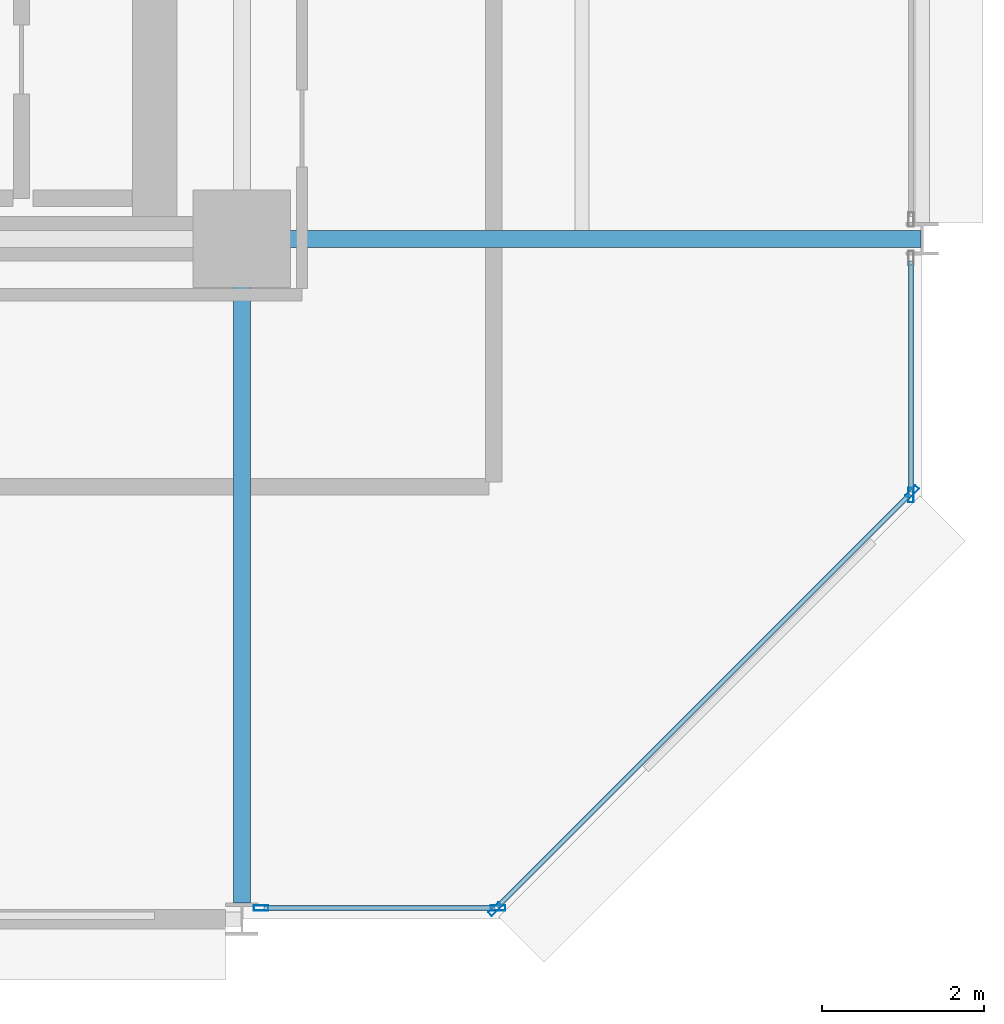
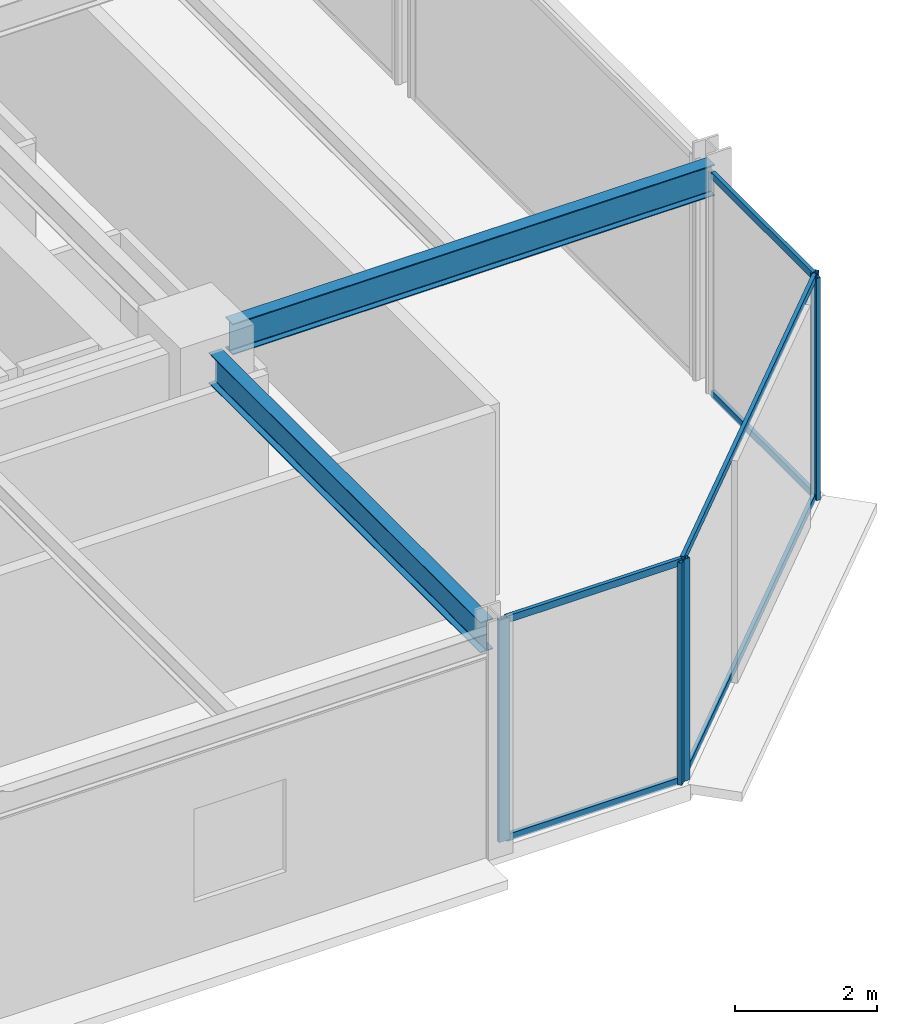
# One storey, part 13 of 30: 11 members, 2 beams, 3 elements without a shape of their own.
"""IFC4 building model written with IfcOpenShell, lengths in metres."""

from ifc_helpers import new_model, si_unit, direction, frame, origin, origin_2d, place, context, subcontext, project, spatial, hollow_rectangle, i_section, extrude, material, layer, layer_set, material_profile, profile_set, type_object, element, aggregate, save


model = new_model("IFC4")

# Units and contexts
model_context = context("Model", 3, precision=1e-05, world=origin(), true_north=direction((0.0, 1.0)))
body_context = subcontext(model_context, "Body", "Model", "MODEL_VIEW")
ifc_project = project(units=[si_unit("LENGTHUNIT", "METRE"), si_unit("AREAUNIT", "SQUARE_METRE"), si_unit("VOLUMEUNIT", "CUBIC_METRE"), si_unit("PLANEANGLEUNIT", "RADIAN"), si_unit("MASSUNIT", "GRAM", prefix="KILO")], contexts=[model_context])

# Site, building, storey
site_placement = place(None, origin())
site = spatial("IfcSite", under=ifc_project, at=site_placement, CompositionType="ELEMENT")
building_placement = place(site_placement, origin())
building = spatial("IfcBuilding", under=site, at=building_placement, Name="Nerrivon Quay Data Exchange", CompositionType="ELEMENT")
storey_placement = place(building_placement, frame((0.0, 0.0, 129.5)))
storey = spatial("IfcBuildingStorey", under=building, at=storey_placement, Name="L30", CompositionType="ELEMENT", Elevation=129.5)

# Beams
ifc_material_1 = material(Name="Steel Grade 350", Category="steel")
ifc_material_profile_1 = material_profile(ifc_material_1, i_section(OverallWidth=0.208984375, OverallDepth=0.532958984375, WebThickness=0.01025390625, FlangeThickness=0.015625, FilletRadius=0.013916015625, at=origin_2d()), Name="530UB92.4")
ifc_profile_set_1 = profile_set([ifc_material_profile_1], Name="Steel Grade 350")
beam_type_1 = type_object("IfcBeamType", Name="BM-G3-530UB92", PredefinedType="BEAM", material=ifc_profile_set_1)
beam_1_placement = place(storey_placement, frame((34.139892578125, 8.39990234375, 3.55859375), z_axis=(1.0, 0.0, 0.0), x_axis=(0.0, 1.0, 0.0)))
element("IfcBeam", 1, at=beam_1_placement, inside=storey, type_object=beam_type_1, Name="L30 EW Girder Y=8.4 (33.6..42.0)", PredefinedType="BEAM", context=body_context, shape_type="SweptSolid", body=[
    extrude(i_section(OverallWidth=0.208984375, OverallDepth=0.532958984375, WebThickness=0.01025390625, FlangeThickness=0.015625, FilletRadius=0.013916015625, at=origin_2d()), origin(), (0.0, 0.0, 1.0), 7.84765625),
])
ifc_material_profile_2 = material_profile(ifc_material_1, i_section(OverallWidth=0.208984375, OverallDepth=0.528076171875, WebThickness=0.009521484375, FlangeThickness=0.01318359375, FilletRadius=0.013916015625, at=origin_2d()), Name="530UB82.0")
ifc_profile_set_2 = profile_set([ifc_material_profile_2], Name="Steel Grade 350")
beam_type_2 = type_object("IfcBeamType", Name="BM-G4-530UB82", PredefinedType="BEAM", material=ifc_profile_set_2)
beam_2_placement = place(storey_placement, frame((33.60009765625, 0.199951171875, 3.56103515625), z_axis=(0.0, 1.0, 0.0), x_axis=(-1.0, 0.0, 0.0)))
element("IfcBeam", 2, at=beam_2_placement, inside=storey, type_object=beam_type_2, Name="L30 NS Girder X=33.6 (0.0..8.4)", PredefinedType="BEAM", context=body_context, shape_type="SweptSolid", body=[
    extrude(i_section(OverallWidth=0.208984375, OverallDepth=0.528076171875, WebThickness=0.009521484375, FlangeThickness=0.01318359375, FilletRadius=0.013916015625, at=origin_2d()), origin(), (0.0, 0.0, 1.0), 7.66015625),
])

# Curtain wall, members
ifc_material_2 = material(Name="Anodised aluminium 6063-T6", Category="aluminium")
ifc_layer = layer(ifc_material_2, 0.2099609375)
ifc_layer_set = layer_set([ifc_layer], Name="Anodised aluminium 6063-T6")
curtain_wall_type = type_object("IfcCurtainWallType", Name="CW-SYS-02", PredefinedType="NOTDEFINED", material=ifc_layer_set)
curtain_wall_1_placement = place(storey_placement, origin())
curtain_wall_1 = element("IfcCurtainWall", 3, at=curtain_wall_1_placement, inside=storey, type_object=curtain_wall_type, Name="L30 Unitised Curtain Wall 1", PredefinedType="NOTDEFINED")
ifc_material_profile_3 = material_profile(ifc_material_2, hollow_rectangle(XDim=0.06494140625, YDim=0.179931640625, WallThickness=0.00341796875, at=origin_2d()), Name="ALU-MULL-180x65")
ifc_profile_set_3 = profile_set([ifc_material_profile_3], Name="Anodised aluminium 6063-T6")
member_type_1 = type_object("IfcMemberType", Name="CWM-180x65", PredefinedType="MULLION", material=ifc_profile_set_3)
member_1_placement = place(storey_placement, frame((41.87451171875, 5.2724609375, 0.0), z_axis=(0.0, 0.0, 1.0), x_axis=(0.707106781187, -0.707106781187, 0.0)))
member_1 = element("IfcMember", 4, at=member_1_placement, type_object=member_type_1, Name="CW02 mullion 1", PredefinedType="MULLION", context=body_context, shape_type="SweptSolid", body=[
    extrude(hollow_rectangle(XDim=0.06494140625, YDim=0.179931640625, WallThickness=0.00341796875, at=origin_2d()), origin(), (0.0, 0.0, 1.0), 3.824951171875),
])
member_2_placement = place(storey_placement, frame((36.7275390625, 0.12548828125, 0.0), z_axis=(0.0, 0.0, 1.0), x_axis=(0.707106781187, -0.707106781187, 0.0)))
member_2 = element("IfcMember", 5, at=member_2_placement, type_object=member_type_1, Name="CW02 mullion 2", PredefinedType="MULLION", context=body_context, shape_type="SweptSolid", body=[
    extrude(hollow_rectangle(XDim=0.06494140625, YDim=0.179931640625, WallThickness=0.00341796875, at=origin_2d()), origin(), (0.0, 0.0, 1.0), 3.824951171875),
])

curtain_wall_2_placement = place(storey_placement, origin())
curtain_wall_2 = element("IfcCurtainWall", 6, at=curtain_wall_2_placement, inside=storey, type_object=curtain_wall_type, Name="L30 Unitised Curtain Wall 2", PredefinedType="NOTDEFINED")
member_3_placement = place(storey_placement, frame((36.762451171875, 0.139892578125, 0.0), z_axis=(0.0, 0.0, 1.0), x_axis=(0.0, -1.0, 0.0)))
member_3 = element("IfcMember", 7, at=member_3_placement, type_object=member_type_1, Name="CW02 mullion 1", PredefinedType="MULLION", context=body_context, shape_type="SweptSolid", body=[
    extrude(hollow_rectangle(XDim=0.06494140625, YDim=0.179931640625, WallThickness=0.00341796875, at=origin_2d()), origin(), (0.0, 0.0, 1.0), 3.824951171875),
])
member_4_placement = place(storey_placement, frame((33.83740234375, 0.139892578125, 0.0), z_axis=(0.0, 0.0, 1.0), x_axis=(0.0, -1.0, 0.0)))
member_4 = element("IfcMember", 8, at=member_4_placement, type_object=member_type_1, Name="CW02 mullion 2", PredefinedType="MULLION", context=body_context, shape_type="SweptSolid", body=[
    extrude(hollow_rectangle(XDim=0.06494140625, YDim=0.179931640625, WallThickness=0.00341796875, at=origin_2d()), origin(), (0.0, 0.0, 1.0), 3.824951171875),
])

# Curtain wall, member
curtain_wall_3_placement = place(storey_placement, origin())
curtain_wall_3 = element("IfcCurtainWall", 9, at=curtain_wall_3_placement, inside=storey, type_object=curtain_wall_type, Name="L30 Unitised Curtain Wall 30", PredefinedType="NOTDEFINED")
member_5_placement = place(storey_placement, frame((41.860107421875, 5.237548828125, 0.0), z_axis=(0.0, 0.0, 1.0), x_axis=(1.0, 0.0, 0.0)))
member_5 = element("IfcMember", 10, at=member_5_placement, type_object=member_type_1, Name="CW02 mullion 2", PredefinedType="MULLION", context=body_context, shape_type="SweptSolid", body=[
    extrude(hollow_rectangle(XDim=0.06494140625, YDim=0.179931640625, WallThickness=0.00341796875, at=origin_2d()), origin(), (0.0, 0.0, 1.0), 3.824951171875),
])

# Member
ifc_material_profile_4 = material_profile(ifc_material_2, hollow_rectangle(XDim=0.06005859375, YDim=0.1201171875, WallThickness=0.003173828125, at=origin_2d()), Name="ALU-TRAN-120x60")
ifc_profile_set_4 = profile_set([ifc_material_profile_4], Name="Anodised aluminium 6063-T6")
member_type_2 = type_object("IfcMemberType", Name="CWT-120x60", PredefinedType="USERDEFINED", material=ifc_profile_set_4)
member_6_placement = place(storey_placement, frame((41.847900390625, 5.245849609375, 0.032470703125), z_axis=(-0.707106781187, -0.707106781187, 0.0), x_axis=(0.707106781187, -0.707106781187, 0.0)))
member_6 = element("IfcMember", 11, at=member_6_placement, type_object=member_type_2, Name="CW02 transom 1.1", ObjectType="TRANSOM", PredefinedType="USERDEFINED", context=body_context, shape_type="SweptSolid", body=[
    extrude(hollow_rectangle(XDim=0.06005859375, YDim=0.1201171875, WallThickness=0.003173828125, at=origin_2d()), origin(), (0.0, 0.0, 1.0), 7.20361328125),
])

member_7_placement = place(storey_placement, frame((41.847900390625, 5.245849609375, 3.79248046875), z_axis=(-0.707106781187, -0.707106781187, 0.0), x_axis=(0.707106781187, -0.707106781187, 0.0)))
member_7 = element("IfcMember", 12, at=member_7_placement, type_object=member_type_2, Name="CW02 transom 1.2", ObjectType="TRANSOM", PredefinedType="USERDEFINED", context=body_context, shape_type="SweptSolid", body=[
    extrude(hollow_rectangle(XDim=0.06005859375, YDim=0.1201171875, WallThickness=0.003173828125, at=origin_2d()), origin(), (0.0, 0.0, 1.0), 7.20361328125),
])

aggregate(curtain_wall_1, [member_1, member_2, member_6, member_7])

member_8_placement = place(storey_placement, frame((36.72509765625, 0.139892578125, 0.032470703125), z_axis=(-1.0, 0.0, 0.0), x_axis=(0.0, -1.0, 0.0)))
member_8 = element("IfcMember", 13, at=member_8_placement, type_object=member_type_2, Name="CW02 transom 1.1", ObjectType="TRANSOM", PredefinedType="USERDEFINED", context=body_context, shape_type="SweptSolid", body=[
    extrude(hollow_rectangle(XDim=0.06005859375, YDim=0.1201171875, WallThickness=0.003173828125, at=origin_2d()), origin(), (0.0, 0.0, 1.0), 2.85009765625),
])

member_9_placement = place(storey_placement, frame((36.72509765625, 0.139892578125, 3.79248046875), z_axis=(-1.0, 0.0, 0.0), x_axis=(0.0, -1.0, 0.0)))
member_9 = element("IfcMember", 14, at=member_9_placement, type_object=member_type_2, Name="CW02 transom 1.2", ObjectType="TRANSOM", PredefinedType="USERDEFINED", context=body_context, shape_type="SweptSolid", body=[
    extrude(hollow_rectangle(XDim=0.06005859375, YDim=0.1201171875, WallThickness=0.003173828125, at=origin_2d()), origin(), (0.0, 0.0, 1.0), 2.85009765625),
])

aggregate(curtain_wall_2, [member_3, member_4, member_8, member_9])

member_10_placement = place(storey_placement, frame((41.860107421875, 8.125, 0.032470703125), z_axis=(0.0, -1.0, 0.0), x_axis=(1.0, 0.0, 0.0)))
member_10 = element("IfcMember", 15, at=member_10_placement, type_object=member_type_2, Name="CW02 transom 1.1", ObjectType="TRANSOM", PredefinedType="USERDEFINED", context=body_context, shape_type="SweptSolid", body=[
    extrude(hollow_rectangle(XDim=0.06005859375, YDim=0.1201171875, WallThickness=0.003173828125, at=origin_2d()), origin(), (0.0, 0.0, 1.0), 2.85009765625),
])

member_11_placement = place(storey_placement, frame((41.860107421875, 8.125, 3.79248046875), z_axis=(0.0, -1.0, 0.0), x_axis=(1.0, 0.0, 0.0)))
member_11 = element("IfcMember", 16, at=member_11_placement, type_object=member_type_2, Name="CW02 transom 1.2", ObjectType="TRANSOM", PredefinedType="USERDEFINED", context=body_context, shape_type="SweptSolid", body=[
    extrude(hollow_rectangle(XDim=0.06005859375, YDim=0.1201171875, WallThickness=0.003173828125, at=origin_2d()), origin(), (0.0, 0.0, 1.0), 2.85009765625),
])

aggregate(curtain_wall_3, [member_5, member_10, member_11])

save(model, "model.ifc")
